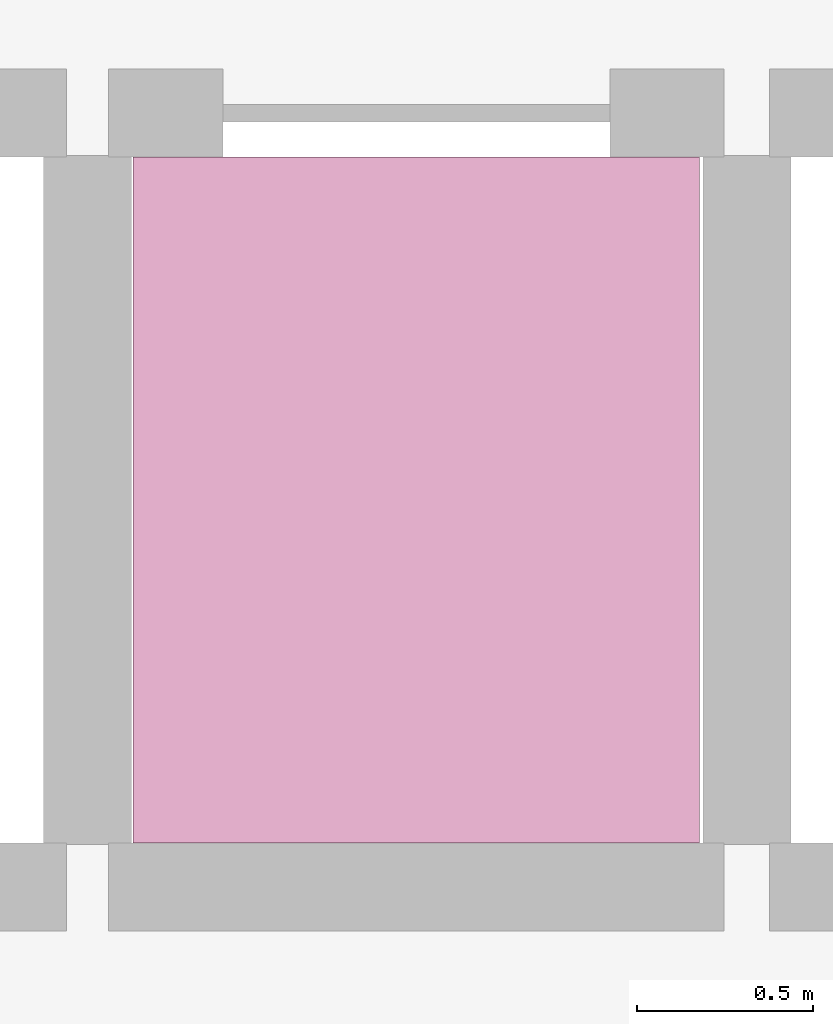
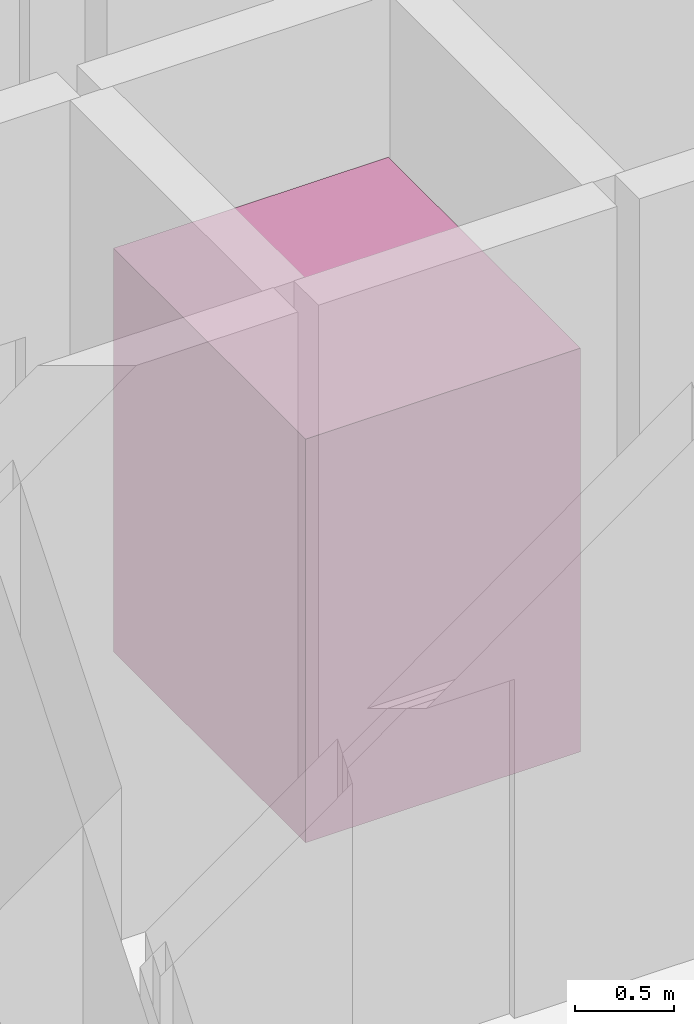
# One storey, part 10 of 10: 1 transport element.
"""IFC4 building model written with IfcOpenShell, lengths in metres."""

from ifc_helpers import new_model, si_unit, direction, frame, origin, origin_2d, place, context, subcontext, project, spatial, rectangle, extrude, material, type_object, element, save


model = new_model("IFC4")

# Units and contexts
model_context = context("Model", 3, precision=1e-05, world=origin(), true_north=direction((0.0, 1.0)))
body_context = subcontext(model_context, "Body", "Model", "MODEL_VIEW")
ifc_project = project(units=[si_unit("LENGTHUNIT", "METRE"), si_unit("AREAUNIT", "SQUARE_METRE"), si_unit("VOLUMEUNIT", "CUBIC_METRE"), si_unit("PLANEANGLEUNIT", "RADIAN"), si_unit("MASSUNIT", "GRAM", prefix="KILO")], contexts=[model_context])

# Site, building, storey
site_placement = place(None, origin())
site = spatial("IfcSite", under=ifc_project, at=site_placement, CompositionType="ELEMENT")
building_placement = place(site_placement, origin())
building = spatial("IfcBuilding", under=site, at=building_placement, Name="Zulverin Broadcast Headquarters", CompositionType="ELEMENT")
storey_placement = place(building_placement, frame((0.0, 0.0, 97.199951171875)))
storey = spatial("IfcBuildingStorey", under=building, at=storey_placement, Name="L24", CompositionType="ELEMENT", Elevation=97.199951171875)

# Transport element
ifc_material = material(Name="Stainless steel & laminated glass elevator car", Category="steel")
transport_element_type = type_object("IfcTransportElementType", Name="LFT-PASS-1600", PredefinedType="ELEVATOR", material=ifc_material)
transport_element_placement = place(storey_placement, frame((28.89501953125, 22.5, 0.02001953125), z_axis=(0.0, 0.0, 1.0), x_axis=(1.0, 0.0, 0.0)))
element("IfcTransportElement", 1, at=transport_element_placement, inside=storey, type_object=transport_element_type, Name="Elevator Car PL-L4 (1600 kg, B2-L29)", PredefinedType="ELEVATOR", context=body_context, shape_type="SweptSolid", body=[
    extrude(rectangle(XDim=1.610107421875, YDim=1.949951171875, at=origin_2d()), origin(), (0.0, 0.0, 1.0), 2.5),
])

save(model, "model.ifc")
